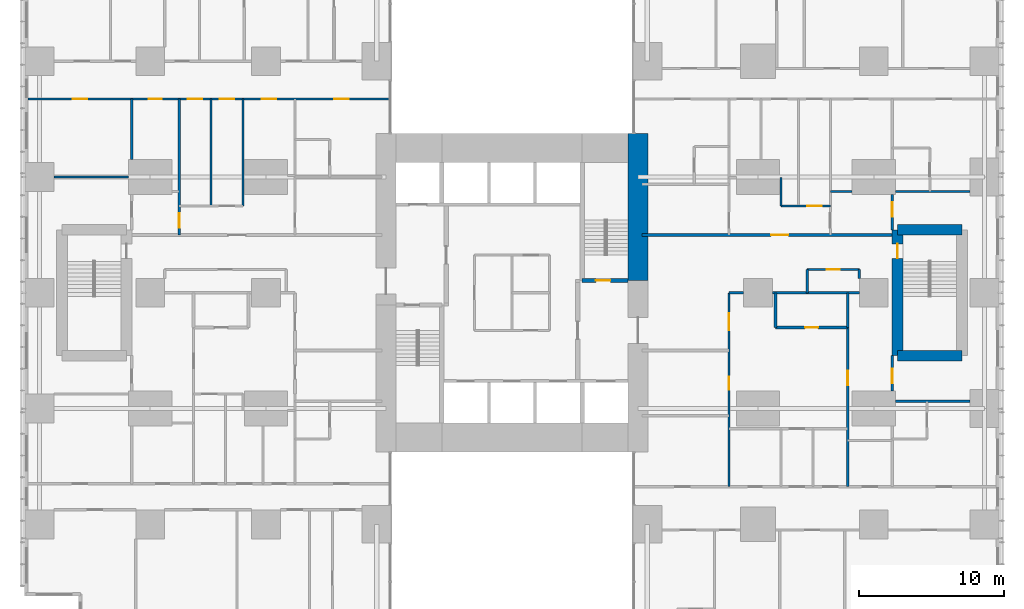
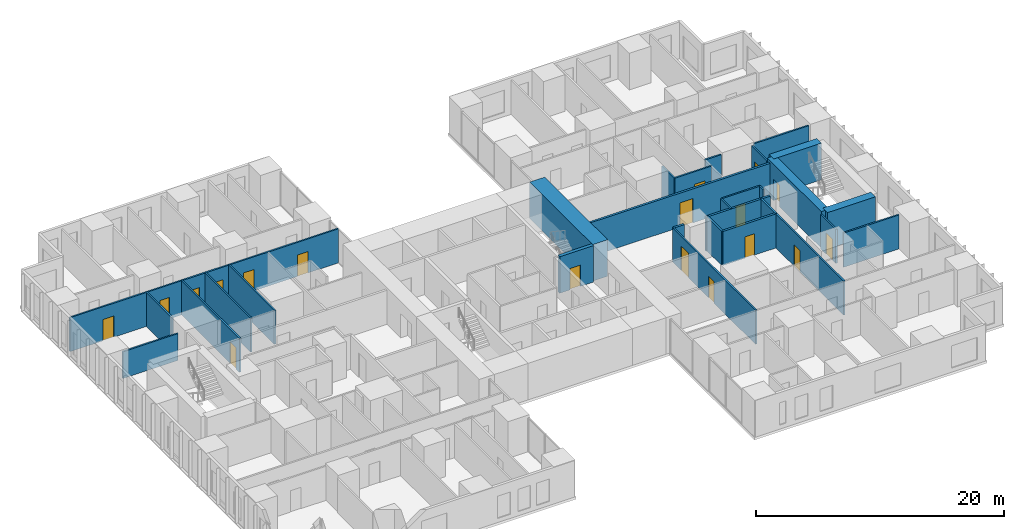
# One storey, part 16 of 20: 29 walls, 18 doors, 18 openings.
"""IFC4 building model written with IfcOpenShell, lengths in metres."""

from ifc_helpers import new_model, si_unit, direction, frame, frame_2d, origin, place, context, subcontext, project, spatial, rectangle, extrude, material, layer, layer_set, type_object, element, fill, save


model = new_model("IFC4")

# Units and contexts
model_context = context("Model", 3, precision=1e-05, world=origin(), true_north=direction((0.0, 1.0)))
body_context = subcontext(model_context, "Body", "Model", "MODEL_VIEW")
ifc_project = project(units=[si_unit("LENGTHUNIT", "METRE"), si_unit("AREAUNIT", "SQUARE_METRE"), si_unit("VOLUMEUNIT", "CUBIC_METRE"), si_unit("PLANEANGLEUNIT", "RADIAN"), si_unit("MASSUNIT", "GRAM", prefix="KILO")], contexts=[model_context])

# Site, building, storey
site_placement = place(None, origin())
site = spatial("IfcSite", under=ifc_project, at=site_placement, CompositionType="ELEMENT")
building_placement = place(site_placement, origin())
building = spatial("IfcBuilding", under=site, at=building_placement, Name="Cleftline Residences", CompositionType="ELEMENT")
storey_placement = place(building_placement, frame((0.0, 0.0, 103.39990234375)))
storey = spatial("IfcBuildingStorey", under=building, at=storey_placement, Name="L26", CompositionType="ELEMENT", Elevation=103.39990234375)

# Wall
ifc_material_1 = material(Name="Concrete B70", Category="concrete")
ifc_layer_1 = layer(ifc_material_1, 1.39990234375)
ifc_layer_set_1 = layer_set([ifc_layer_1], Name="CORE WALL 1400")
wall_type_1 = type_object("IfcWallType", Name="CORE WALL 1400", PredefinedType="SHEAR", material=ifc_layer_set_1)
wall_1_placement = place(storey_placement, frame((41.699951171875, 24.85009765625, 0.0), z_axis=(0.0, 0.0, 1.0), x_axis=(0.0, 1.0, 0.0)))
element("IfcWall", 1, at=wall_1_placement, inside=storey, type_object=wall_type_1, Name="Core wall E1", PredefinedType="SHEAR", context=body_context, shape_type="SweptSolid", body=[
    extrude(rectangle(XDim=10.14990234375, YDim=1.39990234375, at=frame_2d((5.074951171875, 0.0))), origin(), (0.0, 0.0, 1.0), 3.60009765625),
])

# Wall, opening, door
ifc_material_2 = material(Name="Concrete B70", Category="concrete")
ifc_layer_2 = layer(ifc_material_2, 0.300048828125)
ifc_layer_set_2 = layer_set([ifc_layer_2], Name="CORE WALL 300")
wall_type_2 = type_object("IfcWallType", Name="CORE WALL 300", PredefinedType="SHEAR", material=ifc_layer_set_2)
wall_2_placement = place(storey_placement, frame((37.85009765625, 24.85009765625, 0.0), z_axis=(0.0, 0.0, 1.0), x_axis=(1.0, 0.0, 0.0)))
wall_2 = element("IfcWall", 2, at=wall_2_placement, inside=storey, type_object=wall_type_2, Name="Core wall SB-S", PredefinedType="SHEAR", context=body_context, shape_type="SweptSolid", body=[
    extrude(rectangle(XDim=3.14990234375, YDim=0.300048828125, at=frame_2d((1.574951171875, 0.0))), origin(), (0.0, 0.0, 1.0), 3.60009765625),
])
opening_1_placement = place(wall_2_placement, frame((0.949951171875, 0.0, 0.0)))
opening_1 = element("IfcOpeningElement", 3, at=opening_1_placement, cuts=wall_2, Name="Opening D5", PredefinedType="OPENING", context=body_context, shape_type="SweptSolid", body=[
    extrude(rectangle(XDim=1.0, YDim=2.10009765625, at=frame_2d((0.5, 1.050048828125))), frame((0.0, 0.159912109375, 0.0), z_axis=(0.0, -1.0, 0.0), x_axis=(1.0, 0.0, 0.0)), (0.0, 0.0, 1.0), 0.320068359375),
])
ifc_material_3 = material(Name="Steel", Category="steel")
door_type_1 = type_object("IfcDoorType", Name="STAIR DOOR 1000X2100", OperationType="SINGLE_SWING_LEFT", PredefinedType="DOOR", material=ifc_material_3)
door_1_placement = place(opening_1_placement, origin())
door_1 = element("IfcDoor", 4, at=door_1_placement, inside=storey, type_object=door_type_1, Name="Stair B door", OperationType="SINGLE_SWING_RIGHT", OverallHeight=2.10009765625, OverallWidth=1.0, PredefinedType="DOOR", context=body_context, shape_type="SweptSolid", body=[
    extrude(rectangle(XDim=1.0, YDim=2.10009765625, at=frame_2d((0.5, 1.050048828125))), frame((0.0, 0.02490234375, 0.0), z_axis=(0.0, -1.0, 0.0), x_axis=(1.0, 0.0, 0.0)), (0.0, 0.0, 1.0), 0.050048828125),
])
fill(opening_1, door_1)

ifc_material_4 = material(Name="Concrete blockwork, fire rated", Category="masonry")
ifc_layer_3 = layer(ifc_material_4, 0.199951171875)
ifc_layer_set_3 = layer_set([ifc_layer_3], Name="FIRE WALL 200")
wall_type_3 = type_object("IfcWallType", Name="FIRE WALL 200", PredefinedType="PARTITIONING", material=ifc_layer_set_3)
wall_3_placement = place(storey_placement, frame((51.199951171875, 21.60009765625, 0.0), z_axis=(0.0, 0.0, 1.0), x_axis=(1.0, 0.0, 0.0)))
wall_3 = element("IfcWall", 5, at=wall_3_placement, inside=storey, type_object=wall_type_3, Name="Fire separating wall", PredefinedType="PARTITIONING", context=body_context, shape_type="SweptSolid", body=[
    extrude(rectangle(XDim=5.0, YDim=0.199951171875, at=frame_2d((2.5, 0.0))), origin(), (0.0, 0.0, 1.0), 3.35009765625),
])
opening_2_placement = place(wall_3_placement, frame((2.050048828125, 0.0, 0.0)))
opening_2 = element("IfcOpeningElement", 6, at=opening_2_placement, cuts=wall_3, Name="Opening D1F30", PredefinedType="OPENING", context=body_context, shape_type="SweptSolid", body=[
    extrude(rectangle(XDim=0.89990234375, YDim=2.10009765625, at=frame_2d((0.449951171875, 1.050048828125))), frame((0.0, 0.10986328125, 0.0), z_axis=(0.0, -1.0, 0.0), x_axis=(1.0, 0.0, 0.0)), (0.0, 0.0, 1.0), 0.219970703125),
])
ifc_material_5 = material(Name="Timber veneer on solid core", Category="wood")
door_type_2 = type_object("IfcDoorType", Name="DOOR 900X2100 EI 30", OperationType="SINGLE_SWING_LEFT", PredefinedType="DOOR", material=ifc_material_5)
door_2_placement = place(opening_2_placement, origin())
door_2 = element("IfcDoor", 7, at=door_2_placement, inside=storey, type_object=door_type_2, Name="Door to cloakroom wc", OperationType="SINGLE_SWING_LEFT", OverallHeight=2.10009765625, OverallWidth=0.89990234375, PredefinedType="DOOR", context=body_context, shape_type="SweptSolid", body=[
    extrude(rectangle(XDim=0.89990234375, YDim=2.10009765625, at=frame_2d((0.449951171875, 1.050048828125))), frame((0.0, 0.02490234375, 0.0), z_axis=(0.0, -1.0, 0.0), x_axis=(1.0, 0.0, 0.0)), (0.0, 0.0, 1.0), 0.050048828125),
])
fill(opening_2, door_2)

# Walls
wall_4_placement = place(storey_placement, frame((48.0, 24.0, 0.0), z_axis=(0.0, 0.0, 1.0), x_axis=(1.0, 0.0, 0.0)))
element("IfcWall", 8, at=wall_4_placement, inside=storey, type_object=wall_type_3, Name="Fire separating wall", PredefinedType="PARTITIONING", context=body_context, shape_type="SweptSolid", body=[
    extrude(rectangle(XDim=1.0, YDim=0.199951171875, at=frame_2d((0.5, 0.0))), origin(), (0.0, 0.0, 1.0), 3.35009765625),
])
wall_5_placement = place(storey_placement, frame((51.0, 24.0, 0.0), z_axis=(0.0, 0.0, 1.0), x_axis=(1.0, 0.0, 0.0)))
element("IfcWall", 9, at=wall_5_placement, inside=storey, type_object=wall_type_3, Name="Fire separating wall", PredefinedType="PARTITIONING", context=body_context, shape_type="SweptSolid", body=[
    extrude(rectangle(XDim=6.0, YDim=0.199951171875, at=frame_2d((3.0, 0.0))), origin(), (0.0, 0.0, 1.0), 3.35009765625),
])

# Wall, opening, door
wall_6_placement = place(storey_placement, frame((42.0, 28.0, 0.0), z_axis=(0.0, 0.0, 1.0), x_axis=(1.0, 0.0, 0.0)))
wall_6 = element("IfcWall", 10, at=wall_6_placement, inside=storey, type_object=wall_type_3, Name="Fire separating wall", PredefinedType="PARTITIONING", context=body_context, shape_type="SweptSolid", body=[
    extrude(rectangle(XDim=17.27490234375, YDim=0.199951171875, at=frame_2d((8.637451171875, 0.0))), origin(), (0.0, 0.0, 1.0), 3.35009765625),
])
opening_3_placement = place(wall_6_placement, frame((8.89990234375, 0.0, 0.0)))
opening_3 = element("IfcOpeningElement", 11, at=opening_3_placement, cuts=wall_6, Name="Opening D4", PredefinedType="OPENING", context=body_context, shape_type="SweptSolid", body=[
    extrude(rectangle(XDim=1.199951171875, YDim=2.39990234375, at=frame_2d((0.60009765625, 1.199951171875))), frame((0.0, 0.10986328125, 0.0), z_axis=(0.0, -1.0, 0.0), x_axis=(1.0, 0.0, 0.0)), (0.0, 0.0, 1.0), 0.219970703125),
])
ifc_material_6 = material(Name="Timber veneer on solid core", Category="wood")
door_type_3 = type_object("IfcDoorType", Name="APARTMENT ENTRANCE DOOR 1200X2400", OperationType="SINGLE_SWING_RIGHT", PredefinedType="DOOR", material=ifc_material_6)
door_3_placement = place(opening_3_placement, origin())
door_3 = element("IfcDoor", 12, at=door_3_placement, inside=storey, type_object=door_type_3, Name="Door to residence entrance foyer", OperationType="SINGLE_SWING_LEFT", OverallHeight=2.39990234375, OverallWidth=1.199951171875, PredefinedType="DOOR", context=body_context, shape_type="SweptSolid", body=[
    extrude(rectangle(XDim=1.199951171875, YDim=2.39990234375, at=frame_2d((0.60009765625, 1.199951171875))), frame((0.0, 0.02490234375, 0.0), z_axis=(0.0, -1.0, 0.0), x_axis=(1.0, 0.0, 0.0)), (0.0, 0.0, 1.0), 0.050048828125),
])
fill(opening_3, door_3)

# Walls
for number, where, z_axis, x_axis, name in (
    (13, (51.199951171875, 21.60009765625, 0.0), (0.0, 0.0, 1.0), (0.0, 1.0, 0.0), "Fire separating wall"),
    (14, (56.199951171875, 21.60009765625, 0.0), (0.0, 0.0, 1.0), (0.0, 1.0, 0.0), "Fire separating wall"),
):
    element("IfcWall", number, at=place(storey_placement, frame(where, z_axis=z_axis, x_axis=x_axis)), inside=storey, type_object=wall_type_3, Name=name, PredefinedType="PARTITIONING", context=body_context, shape_type="SweptSolid", body=[
        extrude(rectangle(XDim=2.39990234375, YDim=0.199951171875, at=frame_2d((1.199951171875, 0.0))), origin(), (0.0, 0.0, 1.0), 3.35009765625),
    ])
ifc_material_7 = material(Name="Gypsum board on steel studs", Category="steel")
ifc_layer_4 = layer(ifc_material_7, 0.14990234375)
ifc_layer_set_4 = layer_set([ifc_layer_4], Name="PARTITION 150")
wall_type_4 = type_object("IfcWallType", Name="PARTITION 150", PredefinedType="PARTITIONING", material=ifc_layer_set_4)
wall_7_placement = place(storey_placement, frame((59.5, 16.5, 0.0), z_axis=(0.0, 0.0, 1.0), x_axis=(1.0, 0.0, 0.0)))
element("IfcWall", 15, at=wall_7_placement, inside=storey, type_object=wall_type_4, Name="Partition", PredefinedType="PARTITIONING", context=body_context, shape_type="SweptSolid", body=[
    extrude(rectangle(XDim=5.14990234375, YDim=0.14990234375, at=frame_2d((2.574951171875, 0.0))), origin(), (0.0, 0.0, 1.0), 3.35009765625),
])

# Wall, opening, door
wall_8_placement = place(storey_placement, frame((53.39990234375, 25.60009765625, 0.0), z_axis=(0.0, 0.0, 1.0), x_axis=(1.0, 0.0, 0.0)))
wall_8 = element("IfcWall", 16, at=wall_8_placement, inside=storey, type_object=wall_type_4, Name="Partition", PredefinedType="PARTITIONING", context=body_context, shape_type="SweptSolid", body=[
    extrude(rectangle(XDim=3.60009765625, YDim=0.14990234375, at=frame_2d((1.800048828125, 0.0))), origin(), (0.0, 0.0, 1.0), 3.35009765625),
])
opening_4_placement = place(wall_8_placement, frame((1.35009765625, 0.0, 0.0)))
opening_4 = element("IfcOpeningElement", 17, at=opening_4_placement, cuts=wall_8, Name="Opening D1", PredefinedType="OPENING", context=body_context, shape_type="SweptSolid", body=[
    extrude(rectangle(XDim=0.89990234375, YDim=2.10009765625, at=frame_2d((0.449951171875, 1.050048828125))), frame((0.0, 0.0849609375, 0.0), z_axis=(0.0, -1.0, 0.0), x_axis=(1.0, 0.0, 0.0)), (0.0, 0.0, 1.0), 0.169921875),
])
ifc_material_8 = material(Name="Timber veneer on solid core", Category="wood")
door_type_4 = type_object("IfcDoorType", Name="DOOR 900X2100", OperationType="SINGLE_SWING_LEFT", PredefinedType="DOOR", material=ifc_material_8)
door_4_placement = place(opening_4_placement, origin())
door_4 = element("IfcDoor", 18, at=door_4_placement, inside=storey, type_object=door_type_4, Name="Door to residents' storage room", OperationType="SINGLE_SWING_LEFT", OverallHeight=2.10009765625, OverallWidth=0.89990234375, PredefinedType="DOOR", context=body_context, shape_type="SweptSolid", body=[
    extrude(rectangle(XDim=0.89990234375, YDim=2.10009765625, at=frame_2d((0.449951171875, 1.050048828125))), frame((0.0, 0.02490234375, 0.0), z_axis=(0.0, -1.0, 0.0), x_axis=(1.0, 0.0, 0.0)), (0.0, 0.0, 1.0), 0.050048828125),
])
fill(opening_4, door_4)

wall_9_placement = place(storey_placement, frame((51.60009765625, 30.0, 0.0), z_axis=(0.0, 0.0, 1.0), x_axis=(1.0, 0.0, 0.0)))
wall_9 = element("IfcWall", 19, at=wall_9_placement, inside=storey, type_object=wall_type_4, Name="Partition", PredefinedType="PARTITIONING", context=body_context, shape_type="SweptSolid", body=[
    extrude(rectangle(XDim=3.39990234375, YDim=0.14990234375, at=frame_2d((1.699951171875, 0.0))), origin(), (0.0, 0.0, 1.0), 3.35009765625),
])
opening_5_placement = place(wall_9_placement, frame((1.800048828125, 0.0, 0.0)))
opening_5 = element("IfcOpeningElement", 20, at=opening_5_placement, cuts=wall_9, Name="Opening D2", PredefinedType="OPENING", context=body_context, shape_type="SweptSolid", body=[
    extrude(rectangle(XDim=1.0, YDim=2.10009765625, at=frame_2d((0.5, 1.050048828125))), frame((0.0, 0.0849609375, 0.0), z_axis=(0.0, -1.0, 0.0), x_axis=(1.0, 0.0, 0.0)), (0.0, 0.0, 1.0), 0.169921875),
])
ifc_material_9 = material(Name="Timber veneer on solid core", Category="wood")
door_type_5 = type_object("IfcDoorType", Name="DOOR 1000X2100", OperationType="SINGLE_SWING_LEFT", PredefinedType="DOOR", material=ifc_material_9)
door_5_placement = place(opening_5_placement, origin())
door_5 = element("IfcDoor", 21, at=door_5_placement, inside=storey, type_object=door_type_5, Name="Door to residence passage", OperationType="SINGLE_SWING_LEFT", OverallHeight=2.10009765625, OverallWidth=1.0, PredefinedType="DOOR", context=body_context, shape_type="SweptSolid", body=[
    extrude(rectangle(XDim=1.0, YDim=2.10009765625, at=frame_2d((0.5, 1.050048828125))), frame((0.0, 0.02490234375, 0.0), z_axis=(0.0, -1.0, 0.0), x_axis=(1.0, 0.0, 0.0)), (0.0, 0.0, 1.0), 0.050048828125),
])
fill(opening_5, door_5)

# Walls
wall_10_placement = place(storey_placement, frame((55.0, 31.0, 0.0), z_axis=(0.0, 0.0, 1.0), x_axis=(1.0, 0.0, 0.0)))
element("IfcWall", 22, at=wall_10_placement, inside=storey, type_object=wall_type_4, Name="Partition", PredefinedType="PARTITIONING", context=body_context, shape_type="SweptSolid", body=[
    extrude(rectangle(XDim=1.5, YDim=0.14990234375, at=frame_2d((0.75, 0.0))), origin(), (0.0, 0.0, 1.0), 3.35009765625),
])
wall_11_placement = place(storey_placement, frame((59.5, 31.0, 0.0), z_axis=(0.0, 0.0, 1.0), x_axis=(1.0, 0.0, 0.0)))
element("IfcWall", 23, at=wall_11_placement, inside=storey, type_object=wall_type_4, Name="Partition", PredefinedType="PARTITIONING", context=body_context, shape_type="SweptSolid", body=[
    extrude(rectangle(XDim=5.14990234375, YDim=0.14990234375, at=frame_2d((2.574951171875, 0.0))), origin(), (0.0, 0.0, 1.0), 3.35009765625),
])
wall_12_placement = place(storey_placement, frame((1.35009765625, 32.0, 0.0), z_axis=(0.0, 0.0, 1.0), x_axis=(1.0, 0.0, 0.0)))
element("IfcWall", 24, at=wall_12_placement, inside=storey, type_object=wall_type_4, Name="Partition", PredefinedType="PARTITIONING", context=body_context, shape_type="SweptSolid", body=[
    extrude(rectangle(XDim=5.14990234375, YDim=0.14990234375, at=frame_2d((2.574951171875, 0.0))), origin(), (0.0, 0.0, 1.0), 2.634033203125),
])

# Wall, openings, doors
wall_13_placement = place(storey_placement, frame((-0.449951171875, 37.39990234375, 0.0), z_axis=(0.0, 0.0, 1.0), x_axis=(1.0, 0.0, 0.0)))
wall_13 = element("IfcWall", 25, at=wall_13_placement, inside=storey, type_object=wall_type_4, Name="Partition", PredefinedType="PARTITIONING", context=body_context, shape_type="SweptSolid", body=[
    extrude(rectangle(XDim=25.010986328125, YDim=0.14990234375, at=frame_2d((12.50537109375, 0.0))), origin(), (0.0, 0.0, 1.0), 3.35009765625),
])
opening_6_placement = place(wall_13_placement, frame((13.25, 0.0, 0.0)))
opening_6 = element("IfcOpeningElement", 26, at=opening_6_placement, cuts=wall_13, Name="Opening D2", PredefinedType="OPENING", context=body_context, shape_type="SweptSolid", body=[
    extrude(rectangle(XDim=1.0, YDim=2.10009765625, at=frame_2d((0.5, 1.050048828125))), frame((0.0, 0.0849609375, 0.0), z_axis=(0.0, -1.0, 0.0), x_axis=(1.0, 0.0, 0.0)), (0.0, 0.0, 1.0), 0.169921875),
])
opening_7_placement = place(wall_13_placement, frame((3.08740234375, 0.0, 0.0)))
opening_7 = element("IfcOpeningElement", 27, at=opening_7_placement, cuts=wall_13, Name="Opening D2", PredefinedType="OPENING", context=body_context, shape_type="SweptSolid", body=[
    extrude(rectangle(XDim=1.0, YDim=2.10009765625, at=frame_2d((0.5, 1.050048828125))), frame((0.0, 0.0849609375, 0.0), z_axis=(0.0, -1.0, 0.0), x_axis=(1.0, 0.0, 0.0)), (0.0, 0.0, 1.0), 0.169921875),
])
opening_8_placement = place(wall_13_placement, frame((8.362548828125, 0.0, 0.0)))
opening_8 = element("IfcOpeningElement", 28, at=opening_8_placement, cuts=wall_13, Name="Opening D1", PredefinedType="OPENING", context=body_context, shape_type="SweptSolid", body=[
    extrude(rectangle(XDim=0.89990234375, YDim=2.10009765625, at=frame_2d((0.449951171875, 1.050048828125))), frame((0.0, 0.0849609375, 0.0), z_axis=(0.0, -1.0, 0.0), x_axis=(1.0, 0.0, 0.0)), (0.0, 0.0, 1.0), 0.169921875),
])
opening_9_placement = place(wall_13_placement, frame((11.050048828125, 0.0, 0.0)))
opening_9 = element("IfcOpeningElement", 29, at=opening_9_placement, cuts=wall_13, Name="Opening D2", PredefinedType="OPENING", context=body_context, shape_type="SweptSolid", body=[
    extrude(rectangle(XDim=1.0, YDim=2.10009765625, at=frame_2d((0.5, 1.050048828125))), frame((0.0, 0.0849609375, 0.0), z_axis=(0.0, -1.0, 0.0), x_axis=(1.0, 0.0, 0.0)), (0.0, 0.0, 1.0), 0.169921875),
])
opening_10_placement = place(wall_13_placement, frame((16.14990234375, 0.0, 0.0)))
opening_10 = element("IfcOpeningElement", 30, at=opening_10_placement, cuts=wall_13, Name="Opening D2", PredefinedType="OPENING", context=body_context, shape_type="SweptSolid", body=[
    extrude(rectangle(XDim=1.0, YDim=2.10009765625, at=frame_2d((0.5, 1.050048828125))), frame((0.0, 0.0849609375, 0.0), z_axis=(0.0, -1.0, 0.0), x_axis=(1.0, 0.0, 0.0)), (0.0, 0.0, 1.0), 0.169921875),
])
opening_11_placement = place(wall_13_placement, frame((21.175048828125, 0.0, 0.0)))
opening_11 = element("IfcOpeningElement", 31, at=opening_11_placement, cuts=wall_13, Name="Opening D2", PredefinedType="OPENING", context=body_context, shape_type="SweptSolid", body=[
    extrude(rectangle(XDim=1.0, YDim=2.10009765625, at=frame_2d((0.5, 1.050048828125))), frame((0.0, 0.0849609375, 0.0), z_axis=(0.0, -1.0, 0.0), x_axis=(1.0, 0.0, 0.0)), (0.0, 0.0, 1.0), 0.169921875),
])
door_6_placement = place(opening_6_placement, origin())
door_6 = element("IfcDoor", 32, at=door_6_placement, inside=storey, type_object=door_type_5, Name="Door to residence hall", OperationType="SINGLE_SWING_LEFT", OverallHeight=2.10009765625, OverallWidth=1.0, PredefinedType="DOOR", context=body_context, shape_type="SweptSolid", body=[
    extrude(rectangle(XDim=1.0, YDim=2.10009765625, at=frame_2d((0.5, 1.050048828125))), frame((0.0, 0.02490234375, 0.0), z_axis=(0.0, -1.0, 0.0), x_axis=(1.0, 0.0, 0.0)), (0.0, 0.0, 1.0), 0.050048828125),
])
fill(opening_6, door_6)
door_7_placement = place(opening_7_placement, origin())
door_7 = element("IfcDoor", 33, at=door_7_placement, inside=storey, type_object=door_type_5, Name="Door to winter garden", OperationType="SINGLE_SWING_RIGHT", OverallHeight=2.10009765625, OverallWidth=1.0, PredefinedType="DOOR", context=body_context, shape_type="SweptSolid", body=[
    extrude(rectangle(XDim=1.0, YDim=2.10009765625, at=frame_2d((0.5, 1.050048828125))), frame((0.0, 0.02490234375, 0.0), z_axis=(0.0, -1.0, 0.0), x_axis=(1.0, 0.0, 0.0)), (0.0, 0.0, 1.0), 0.050048828125),
])
fill(opening_7, door_7)
door_8_placement = place(opening_9_placement, origin())
door_8 = element("IfcDoor", 34, at=door_8_placement, inside=storey, type_object=door_type_5, Name="Door to family room", OperationType="SINGLE_SWING_RIGHT", OverallHeight=2.10009765625, OverallWidth=1.0, PredefinedType="DOOR", context=body_context, shape_type="SweptSolid", body=[
    extrude(rectangle(XDim=1.0, YDim=2.10009765625, at=frame_2d((0.5, 1.050048828125))), frame((0.0, 0.02490234375, 0.0), z_axis=(0.0, -1.0, 0.0), x_axis=(1.0, 0.0, 0.0)), (0.0, 0.0, 1.0), 0.050048828125),
])
fill(opening_9, door_8)
door_9_placement = place(opening_10_placement, origin())
door_9 = element("IfcDoor", 35, at=door_9_placement, inside=storey, type_object=door_type_5, Name="Door to morning kitchen", OperationType="SINGLE_SWING_LEFT", OverallHeight=2.10009765625, OverallWidth=1.0, PredefinedType="DOOR", context=body_context, shape_type="SweptSolid", body=[
    extrude(rectangle(XDim=1.0, YDim=2.10009765625, at=frame_2d((0.5, 1.050048828125))), frame((0.0, 0.02490234375, 0.0), z_axis=(0.0, -1.0, 0.0), x_axis=(1.0, 0.0, 0.0)), (0.0, 0.0, 1.0), 0.050048828125),
])
fill(opening_10, door_9)
door_10_placement = place(opening_11_placement, origin())
door_10 = element("IfcDoor", 36, at=door_10_placement, inside=storey, type_object=door_type_5, Name="Door to bedroom 4", OperationType="SINGLE_SWING_LEFT", OverallHeight=2.10009765625, OverallWidth=1.0, PredefinedType="DOOR", context=body_context, shape_type="SweptSolid", body=[
    extrude(rectangle(XDim=1.0, YDim=2.10009765625, at=frame_2d((0.5, 1.050048828125))), frame((0.0, 0.02490234375, 0.0), z_axis=(0.0, -1.0, 0.0), x_axis=(1.0, 0.0, 0.0)), (0.0, 0.0, 1.0), 0.050048828125),
])
fill(opening_11, door_10)
door_11_placement = place(opening_8_placement, origin())
door_11 = element("IfcDoor", 37, at=door_11_placement, inside=storey, type_object=door_type_4, Name="Door to master bathroom", OperationType="SINGLE_SWING_RIGHT", OverallHeight=2.10009765625, OverallWidth=0.89990234375, PredefinedType="DOOR", context=body_context, shape_type="SweptSolid", body=[
    extrude(rectangle(XDim=0.89990234375, YDim=2.10009765625, at=frame_2d((0.449951171875, 1.050048828125))), frame((0.0, 0.02490234375, 0.0), z_axis=(0.0, -1.0, 0.0), x_axis=(1.0, 0.0, 0.0)), (0.0, 0.0, 1.0), 0.050048828125),
])
fill(opening_8, door_11)

# Wall
wall_14_placement = place(storey_placement, frame((6.72509765625, 33.199951171875, 0.0), z_axis=(0.0, 0.0, 1.0), x_axis=(0.0, 1.0, 0.0)))
element("IfcWall", 38, at=wall_14_placement, inside=storey, type_object=wall_type_4, Name="Partition", PredefinedType="PARTITIONING", context=body_context, shape_type="SweptSolid", body=[
    extrude(rectangle(XDim=4.199951171875, YDim=0.14990234375, at=frame_2d((2.10009765625, 0.0))), origin(), (0.0, 0.0, 1.0), 3.35009765625),
])

# Wall, opening, door
wall_15_placement = place(storey_placement, frame((10.0, 28.0, 0.0), z_axis=(0.0, 0.0, 1.0), x_axis=(0.0, 1.0, 0.0)))
wall_15 = element("IfcWall", 39, at=wall_15_placement, inside=storey, type_object=wall_type_4, Name="Partition", PredefinedType="PARTITIONING", context=body_context, shape_type="SweptSolid", body=[
    extrude(rectangle(XDim=9.39990234375, YDim=0.14990234375, at=frame_2d((4.699951171875, 0.0))), origin(), (0.0, 0.0, 1.0), 3.35009765625),
])
opening_12_placement = place(wall_15_placement, frame((0.5, 0.0, 0.0)))
opening_12 = element("IfcOpeningElement", 40, at=opening_12_placement, cuts=wall_15, Name="Opening D2F30", PredefinedType="OPENING", context=body_context, shape_type="SweptSolid", body=[
    extrude(rectangle(XDim=1.0, YDim=2.10009765625, at=frame_2d((0.5, 1.050048828125))), frame((0.0, 0.0849609375, 0.0), z_axis=(0.0, -1.0, 0.0), x_axis=(1.0, 0.0, 0.0)), (0.0, 0.0, 1.0), 0.169921875),
])
ifc_material_10 = material(Name="Timber veneer on solid core", Category="wood")
door_type_6 = type_object("IfcDoorType", Name="DOOR 1000X2100 EI 30", OperationType="SINGLE_SWING_LEFT", PredefinedType="DOOR", material=ifc_material_10)
door_12_placement = place(opening_12_placement, origin())
door_12 = element("IfcDoor", 41, at=door_12_placement, inside=storey, type_object=door_type_6, Name="Door to residence lobby (service)", OperationType="SINGLE_SWING_RIGHT", OverallHeight=2.10009765625, OverallWidth=1.0, PredefinedType="DOOR", context=body_context, shape_type="SweptSolid", body=[
    extrude(rectangle(XDim=1.0, YDim=2.10009765625, at=frame_2d((0.5, 1.050048828125))), frame((0.0, 0.02490234375, 0.0), z_axis=(0.0, -1.0, 0.0), x_axis=(1.0, 0.0, 0.0)), (0.0, 0.0, 1.0), 0.050048828125),
])
fill(opening_12, door_12)

# Walls
for number, where, z_axis, x_axis, name in (
    (42, (12.199951171875, 30.0, 0.0), (0.0, 0.0, 1.0), (0.0, 1.0, 0.0), "Partition"),
    (43, (14.39990234375, 30.0, 0.0), (0.0, 0.0, 1.0), (0.0, 1.0, 0.0), "Partition"),
):
    element("IfcWall", number, at=place(storey_placement, frame(where, z_axis=z_axis, x_axis=x_axis)), inside=storey, type_object=wall_type_4, Name=name, PredefinedType="PARTITIONING", context=body_context, shape_type="SweptSolid", body=[
        extrude(rectangle(XDim=7.39990234375, YDim=0.14990234375, at=frame_2d((3.699951171875, 0.0))), origin(), (0.0, 0.0, 1.0), 3.35009765625),
    ])

# Wall, openings, doors
wall_16_placement = place(storey_placement, frame((48.0, 10.60009765625, 0.0), z_axis=(0.0, 0.0, 1.0), x_axis=(0.0, 1.0, 0.0)))
wall_16 = element("IfcWall", 44, at=wall_16_placement, inside=storey, type_object=wall_type_4, Name="Partition", PredefinedType="PARTITIONING", context=body_context, shape_type="SweptSolid", body=[
    extrude(rectangle(XDim=13.39990234375, YDim=0.14990234375, at=frame_2d((6.699951171875, 0.0))), origin(), (0.0, 0.0, 1.0), 3.35009765625),
])
opening_13_placement = place(wall_16_placement, frame((10.800048828125, 0.0, 0.0)))
opening_13 = element("IfcOpeningElement", 45, at=opening_13_placement, cuts=wall_16, Name="Opening D4", PredefinedType="OPENING", context=body_context, shape_type="SweptSolid", body=[
    extrude(rectangle(XDim=1.199951171875, YDim=2.39990234375, at=frame_2d((0.60009765625, 1.199951171875))), frame((0.0, 0.0849609375, 0.0), z_axis=(0.0, -1.0, 0.0), x_axis=(1.0, 0.0, 0.0)), (0.0, 0.0, 1.0), 0.169921875),
])
opening_14_placement = place(wall_16_placement, frame((6.699951171875, 0.0, 0.0)))
opening_14 = element("IfcOpeningElement", 46, at=opening_14_placement, cuts=wall_16, Name="Opening D1F60", PredefinedType="OPENING", context=body_context, shape_type="SweptSolid", body=[
    extrude(rectangle(XDim=0.89990234375, YDim=2.10009765625, at=frame_2d((0.449951171875, 1.050048828125))), frame((0.0, 0.0849609375, 0.0), z_axis=(0.0, -1.0, 0.0), x_axis=(1.0, 0.0, 0.0)), (0.0, 0.0, 1.0), 0.169921875),
])
door_13_placement = place(opening_13_placement, origin())
door_13 = element("IfcDoor", 47, at=door_13_placement, inside=storey, type_object=door_type_3, Name="Door to residence entrance foyer", OperationType="SINGLE_SWING_LEFT", OverallHeight=2.39990234375, OverallWidth=1.199951171875, PredefinedType="DOOR", context=body_context, shape_type="SweptSolid", body=[
    extrude(rectangle(XDim=1.199951171875, YDim=2.39990234375, at=frame_2d((0.60009765625, 1.199951171875))), frame((0.0, 0.02490234375, 0.0), z_axis=(0.0, -1.0, 0.0), x_axis=(1.0, 0.0, 0.0)), (0.0, 0.0, 1.0), 0.050048828125),
])
fill(opening_13, door_13)
ifc_material_11 = material(Name="Timber veneer on solid core", Category="wood")
door_type_7 = type_object("IfcDoorType", Name="DOOR 900X2100 EI 60", OperationType="SINGLE_SWING_LEFT", PredefinedType="DOOR", material=ifc_material_11)
door_14_placement = place(opening_14_placement, origin())
door_14 = element("IfcDoor", 48, at=door_14_placement, inside=storey, type_object=door_type_7, Name="Door to utility room", OperationType="SINGLE_SWING_LEFT", OverallHeight=2.10009765625, OverallWidth=0.89990234375, PredefinedType="DOOR", context=body_context, shape_type="SweptSolid", body=[
    extrude(rectangle(XDim=0.89990234375, YDim=2.10009765625, at=frame_2d((0.449951171875, 1.050048828125))), frame((0.0, 0.02490234375, 0.0), z_axis=(0.0, -1.0, 0.0), x_axis=(1.0, 0.0, 0.0)), (0.0, 0.0, 1.0), 0.050048828125),
])
fill(opening_14, door_14)

# Walls
wall_17_placement = place(storey_placement, frame((51.60009765625, 30.0, 0.0), z_axis=(0.0, 0.0, 1.0), x_axis=(0.0, 1.0, 0.0)))
element("IfcWall", 49, at=wall_17_placement, inside=storey, type_object=wall_type_4, Name="Partition", PredefinedType="PARTITIONING", context=body_context, shape_type="SweptSolid", body=[
    extrude(rectangle(XDim=1.949951171875, YDim=0.14990234375, at=frame_2d((0.97509765625, 0.0))), origin(), (0.0, 0.0, 1.0), 3.35009765625),
])
wall_18_placement = place(storey_placement, frame((53.39990234375, 24.0, 0.0), z_axis=(0.0, 0.0, 1.0), x_axis=(0.0, 1.0, 0.0)))
element("IfcWall", 50, at=wall_18_placement, inside=storey, type_object=wall_type_4, Name="Partition", PredefinedType="PARTITIONING", context=body_context, shape_type="SweptSolid", body=[
    extrude(rectangle(XDim=1.60009765625, YDim=0.14990234375, at=frame_2d((0.800048828125, 0.0))), origin(), (0.0, 0.0, 1.0), 3.35009765625),
])

# Wall, opening, door
wall_19_placement = place(storey_placement, frame((56.199951171875, 10.60009765625, 0.0), z_axis=(0.0, 0.0, 1.0), x_axis=(0.0, 1.0, 0.0)))
wall_19 = element("IfcWall", 51, at=wall_19_placement, inside=storey, type_object=wall_type_4, Name="Partition", PredefinedType="PARTITIONING", context=body_context, shape_type="SweptSolid", body=[
    extrude(rectangle(XDim=11.0, YDim=0.14990234375, at=frame_2d((5.5, 0.0))), origin(), (0.0, 0.0, 1.0), 3.35009765625),
])
opening_15_placement = place(wall_19_placement, frame((7.0, 0.0, 0.0)))
opening_15 = element("IfcOpeningElement", 52, at=opening_15_placement, cuts=wall_19, Name="Opening D2F30", PredefinedType="OPENING", context=body_context, shape_type="SweptSolid", body=[
    extrude(rectangle(XDim=1.0, YDim=2.10009765625, at=frame_2d((0.5, 1.050048828125))), frame((0.0, 0.0849609375, 0.0), z_axis=(0.0, -1.0, 0.0), x_axis=(1.0, 0.0, 0.0)), (0.0, 0.0, 1.0), 0.169921875),
])
door_15_placement = place(opening_15_placement, origin())
door_15 = element("IfcDoor", 53, at=door_15_placement, inside=storey, type_object=door_type_6, Name="Door to residence lobby", OperationType="SINGLE_SWING_LEFT", OverallHeight=2.10009765625, OverallWidth=1.0, PredefinedType="DOOR", context=body_context, shape_type="SweptSolid", body=[
    extrude(rectangle(XDim=1.0, YDim=2.10009765625, at=frame_2d((0.5, 1.050048828125))), frame((0.0, 0.02490234375, 0.0), z_axis=(0.0, -1.0, 0.0), x_axis=(1.0, 0.0, 0.0)), (0.0, 0.0, 1.0), 0.050048828125),
])
fill(opening_15, door_15)

# Wall
wall_20_placement = place(storey_placement, frame((57.0, 25.0, 0.0), z_axis=(0.0, 0.0, 1.0), x_axis=(0.0, 1.0, 0.0)))
element("IfcWall", 54, at=wall_20_placement, inside=storey, type_object=wall_type_4, Name="Partition", PredefinedType="PARTITIONING", context=body_context, shape_type="SweptSolid", body=[
    extrude(rectangle(XDim=0.60009765625, YDim=0.14990234375, at=frame_2d((0.300048828125, 0.0))), origin(), (0.0, 0.0, 1.0), 3.35009765625),
])

# Wall, opening, door
wall_21_placement = place(storey_placement, frame((59.27490234375, 17.199951171875, 0.0), z_axis=(0.0, 0.0, 1.0), x_axis=(0.0, 1.0, 0.0)))
wall_21 = element("IfcWall", 55, at=wall_21_placement, inside=storey, type_object=wall_type_4, Name="Partition", PredefinedType="PARTITIONING", context=body_context, shape_type="SweptSolid", body=[
    extrude(rectangle(XDim=2.449951171875, YDim=0.14990234375, at=frame_2d((1.22509765625, 0.0))), origin(), (0.0, 0.0, 1.0), 3.35009765625),
])
opening_16_placement = place(wall_21_placement, frame((0.53759765625, 0.0, 0.0)))
opening_16 = element("IfcOpeningElement", 56, at=opening_16_placement, cuts=wall_21, Name="Opening D2", PredefinedType="OPENING", context=body_context, shape_type="SweptSolid", body=[
    extrude(rectangle(XDim=1.0, YDim=2.10009765625, at=frame_2d((0.5, 1.050048828125))), frame((0.0, 0.0849609375, 0.0), z_axis=(0.0, -1.0, 0.0), x_axis=(1.0, 0.0, 0.0)), (0.0, 0.0, 1.0), 0.169921875),
])
door_16_placement = place(opening_16_placement, origin())
door_16 = element("IfcDoor", 57, at=door_16_placement, inside=storey, type_object=door_type_5, Name="Door to bedroom 2", OperationType="SINGLE_SWING_RIGHT", OverallHeight=2.10009765625, OverallWidth=1.0, PredefinedType="DOOR", context=body_context, shape_type="SweptSolid", body=[
    extrude(rectangle(XDim=1.0, YDim=2.10009765625, at=frame_2d((0.5, 1.050048828125))), frame((0.0, 0.02490234375, 0.0), z_axis=(0.0, -1.0, 0.0), x_axis=(1.0, 0.0, 0.0)), (0.0, 0.0, 1.0), 0.050048828125),
])
fill(opening_16, door_16)

wall_22_placement = place(storey_placement, frame((59.27490234375, 28.35009765625, 0.0), z_axis=(0.0, 0.0, 1.0), x_axis=(0.0, 1.0, 0.0)))
wall_22 = element("IfcWall", 58, at=wall_22_placement, inside=storey, type_object=wall_type_4, Name="Partition", PredefinedType="PARTITIONING", context=body_context, shape_type="SweptSolid", body=[
    extrude(rectangle(XDim=2.449951171875, YDim=0.14990234375, at=frame_2d((1.22509765625, 0.0))), origin(), (0.0, 0.0, 1.0), 3.35009765625),
])
opening_17_placement = place(wall_22_placement, frame((0.91259765625, 0.0, 0.0)))
opening_17 = element("IfcOpeningElement", 59, at=opening_17_placement, cuts=wall_22, Name="Opening D2", PredefinedType="OPENING", context=body_context, shape_type="SweptSolid", body=[
    extrude(rectangle(XDim=1.0, YDim=2.10009765625, at=frame_2d((0.5, 1.050048828125))), frame((0.0, 0.0849609375, 0.0), z_axis=(0.0, -1.0, 0.0), x_axis=(1.0, 0.0, 0.0)), (0.0, 0.0, 1.0), 0.169921875),
])
door_17_placement = place(opening_17_placement, origin())
door_17 = element("IfcDoor", 60, at=door_17_placement, inside=storey, type_object=door_type_5, Name="Door to altar room", OperationType="SINGLE_SWING_LEFT", OverallHeight=2.10009765625, OverallWidth=1.0, PredefinedType="DOOR", context=body_context, shape_type="SweptSolid", body=[
    extrude(rectangle(XDim=1.0, YDim=2.10009765625, at=frame_2d((0.5, 1.050048828125))), frame((0.0, 0.02490234375, 0.0), z_axis=(0.0, -1.0, 0.0), x_axis=(1.0, 0.0, 0.0)), (0.0, 0.0, 1.0), 0.050048828125),
])
fill(opening_17, door_17)

# Walls
ifc_material_12 = material(Name="Concrete B70", Category="concrete")
ifc_layer_5 = layer(ifc_material_12, 0.75)
ifc_layer_set_5 = layer_set([ifc_layer_5], Name="SHEAR WALL 750")
wall_type_5 = type_object("IfcWallType", Name="SHEAR WALL 750", PredefinedType="SHEAR", material=ifc_layer_set_5)
for number, where, z_axis, x_axis, name in (
    (61, (59.64990234375, 19.64990234375, 0.0), (0.0, 0.0, 1.0), (1.0, 0.0, 0.0), "Wing shear wall"),
    (62, (64.10009765625, 28.35009765625, 0.0), (0.0, 0.0, 1.0), (-1.0, 0.0, 0.0), "Wing shear wall"),
):
    element("IfcWall", number, at=place(storey_placement, frame(where, z_axis=z_axis, x_axis=x_axis)), inside=storey, type_object=wall_type_5, Name=name, PredefinedType="SHEAR", context=body_context, shape_type="SweptSolid", body=[
        extrude(rectangle(XDim=4.4501953125, YDim=0.75, at=frame_2d((2.22509765625, 0.0))), origin(), (0.0, 0.0, 1.0), 3.60009765625),
    ])

# Wall, opening, door
wall_23_placement = place(storey_placement, frame((59.64990234375, 28.35009765625, 0.0), z_axis=(0.0, 0.0, 1.0), x_axis=(0.0, -1.0, 0.0)))
wall_23 = element("IfcWall", 63, at=wall_23_placement, inside=storey, type_object=wall_type_5, Name="Wing shear wall", PredefinedType="SHEAR", context=body_context, shape_type="SweptSolid", body=[
    extrude(rectangle(XDim=8.7001953125, YDim=0.75, at=frame_2d((4.35009765625, 0.0))), origin(), (0.0, 0.0, 1.0), 3.60009765625),
])
opening_18_placement = place(wall_23_placement, frame((0.97509765625, 0.0, 0.0)))
opening_18 = element("IfcOpeningElement", 64, at=opening_18_placement, cuts=wall_23, Name="Opening D5", PredefinedType="OPENING", context=body_context, shape_type="SweptSolid", body=[
    extrude(rectangle(XDim=1.0, YDim=2.10009765625, at=frame_2d((0.5, 1.050048828125))), frame((0.0, 0.385009765625, 0.0), z_axis=(0.0, -1.0, 0.0), x_axis=(1.0, 0.0, 0.0)), (0.0, 0.0, 1.0), 0.77001953125),
])
door_18_placement = place(opening_18_placement, origin())
door_18 = element("IfcDoor", 65, at=door_18_placement, inside=storey, type_object=door_type_1, Name="Stair E door", OperationType="SINGLE_SWING_RIGHT", OverallHeight=2.10009765625, OverallWidth=1.0, PredefinedType="DOOR", context=body_context, shape_type="SweptSolid", body=[
    extrude(rectangle(XDim=1.0, YDim=2.10009765625, at=frame_2d((0.5, 1.050048828125))), frame((0.0, 0.02490234375, 0.0), z_axis=(0.0, -1.0, 0.0), x_axis=(1.0, 0.0, 0.0)), (0.0, 0.0, 1.0), 0.050048828125),
])
fill(opening_18, door_18)

save(model, "model.ifc")
